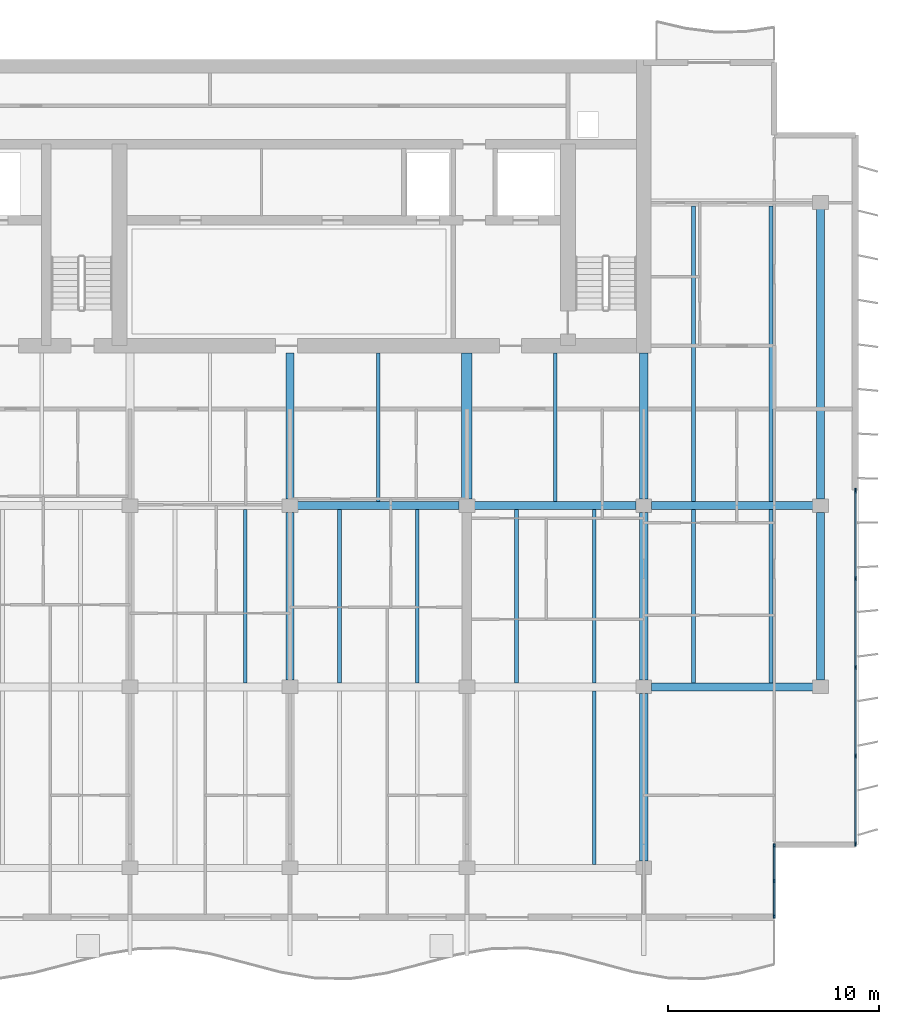
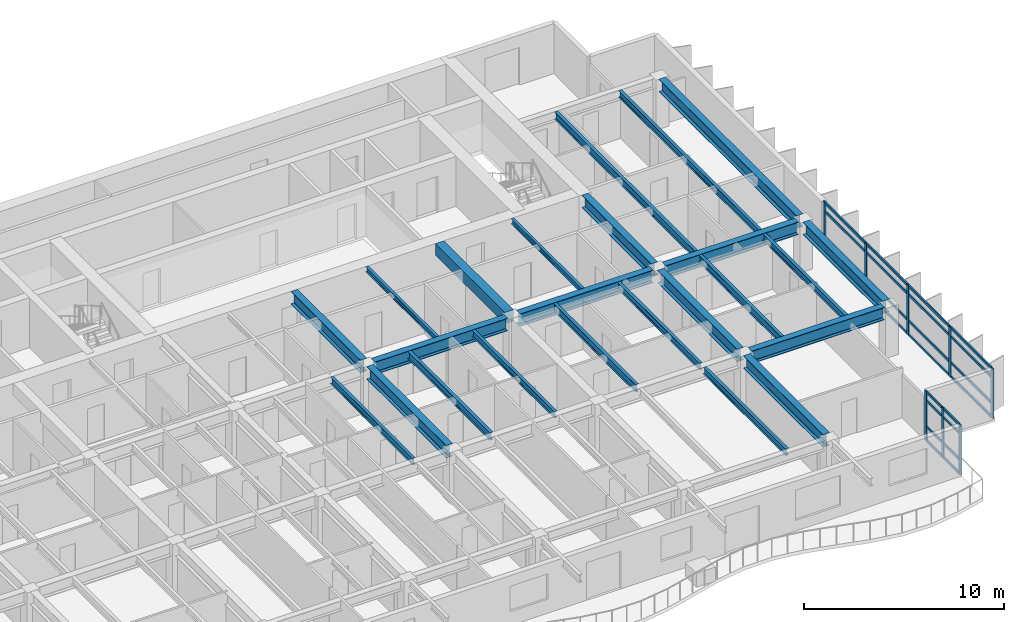
# One storey, part 4 of 17: 32 members, 24 beams, 2 elements without a shape of their own.
"""IFC4 building model written with IfcOpenShell, lengths in metres."""

from ifc_helpers import new_model, si_unit, direction, frame, origin, origin_2d, place, context, subcontext, project, spatial, rectangle, i_section, extrude, material, layer, layer_set, material_profile, profile_set, type_object, element, aggregate, save


model = new_model("IFC4")

# Units and contexts
model_context = context("Model", 3, precision=1e-05, world=origin(), true_north=direction((0.0, 1.0)))
body_context = subcontext(model_context, "Body", "Model", "MODEL_VIEW")
ifc_project = project(units=[si_unit("LENGTHUNIT", "METRE"), si_unit("AREAUNIT", "SQUARE_METRE"), si_unit("VOLUMEUNIT", "CUBIC_METRE"), si_unit("PLANEANGLEUNIT", "RADIAN"), si_unit("MASSUNIT", "GRAM", prefix="KILO")], contexts=[model_context])

# Site, building, storey
site_placement = place(None, origin())
site = spatial("IfcSite", under=ifc_project, at=site_placement, CompositionType="ELEMENT")
building_placement = place(site_placement, origin())
building = spatial("IfcBuilding", under=site, at=building_placement, Name="Caelmar Bay Residences", CompositionType="ELEMENT")
storey_placement = place(building_placement, frame((0.0, 0.0, 236.39990234375)))
storey = spatial("IfcBuildingStorey", under=building, at=storey_placement, Name="L66", CompositionType="ELEMENT", Elevation=236.39990234375)

# Beams
ifc_material_1 = material(Name="Steel ASTM A992 Grade 50", Category="steel")
ifc_material_profile_1 = material_profile(ifc_material_1, i_section(OverallWidth=0.177978515625, OverallDepth=0.406005859375, WebThickness=0.0078125, FlangeThickness=0.0126953125, FilletRadius=0.0087890625, at=origin_2d()), Name="W16X40")
ifc_profile_set_1 = profile_set([ifc_material_profile_1], Name="Steel ASTM A992 Grade 50")
beam_type_1 = type_object("IfcBeamType", Name="BM-BAL-W16X40", PredefinedType="JOIST", material=ifc_profile_set_1)
beam_1_placement = place(storey_placement, frame((57.14794921875, 12.362548828125, 2.84716796875), z_axis=(0.0, 1.0, 0.0), x_axis=(-1.0, 0.0, 0.0)))
element("IfcBeam", 1, at=beam_1_placement, inside=storey, type_object=beam_type_1, Name="L66 Composite Floor Joist 10", PredefinedType="JOIST", context=body_context, shape_type="SweptSolid", body=[
    extrude(i_section(OverallWidth=0.177978515625, OverallDepth=0.406005859375, WebThickness=0.0078125, FlangeThickness=0.0126953125, FilletRadius=0.0087890625, at=origin_2d()), origin(), (0.0, 0.0, 1.0), 8.2470703125),
])
for number, where, z_axis, x_axis, name in (
    (2, (40.572021484375, 20.990478515625, 2.84716796875), (0.0, 1.0, 0.0), (-1.0, 0.0, 0.0), "L66 Composite Floor Joist 18"),
    (3, (48.748046875, 20.990478515625, 2.84716796875), (0.0, 1.0, 0.0), (-1.0, 0.0, 0.0), "L66 Composite Floor Joist 20"),
    (4, (57.14794921875, 20.990478515625, 2.84716796875), (0.0, 1.0, 0.0), (-1.0, 0.0, 0.0), "L66 Composite Floor Joist 22"),
    (5, (65.548095703125, 20.990478515625, 2.84716796875), (0.0, 1.0, 0.0), (-1.0, 0.0, 0.0), "L66 Composite Floor Joist 24"),
):
    element("IfcBeam", number, at=place(storey_placement, frame(where, z_axis=z_axis, x_axis=x_axis)), inside=storey, type_object=beam_type_1, Name=name, PredefinedType="JOIST", context=body_context, shape_type="SweptSolid", body=[
        extrude(i_section(OverallWidth=0.177978515625, OverallDepth=0.406005859375, WebThickness=0.0078125, FlangeThickness=0.0126953125, FilletRadius=0.0087890625, at=origin_2d()), origin(), (0.0, 0.0, 1.0), 8.218994140625),
    ])
beam_2_placement = place(storey_placement, frame((65.548095703125, 29.590576171875, 2.84716796875), z_axis=(0.0, 1.0, 0.0), x_axis=(-1.0, 0.0, 0.0)))
element("IfcBeam", 6, at=beam_2_placement, inside=storey, type_object=beam_type_1, Name="L66 Composite Floor Joist 33", PredefinedType="JOIST", context=body_context, shape_type="SweptSolid", body=[
    extrude(i_section(OverallWidth=0.177978515625, OverallDepth=0.406005859375, WebThickness=0.0078125, FlangeThickness=0.0126953125, FilletRadius=0.0087890625, at=origin_2d()), origin(), (0.0, 0.0, 1.0), 14.046875),
])
ifc_material_profile_2 = material_profile(ifc_material_1, i_section(OverallWidth=0.381103515625, OverallDepth=0.77197265625, WebThickness=0.0166015625, FlangeThickness=0.027099609375, FilletRadius=0.0166015625, at=origin_2d()), Name="W30X173")
ifc_profile_set_2 = profile_set([ifc_material_profile_2], Name="Steel ASTM A992 Grade 50")
beam_type_2 = type_object("IfcBeamType", Name="BM-GRD-W30X173", PredefinedType="BEAM", material=ifc_profile_set_2)
beam_3_placement = place(storey_placement, frame((59.864990234375, 20.800048828125, 2.6640625), z_axis=(1.0, 0.0, 0.0), x_axis=(0.0, 1.0, 0.0)))
element("IfcBeam", 7, at=beam_3_placement, inside=storey, type_object=beam_type_2, Name="L66 East-West Girder Y=20.80 (59.5-67.9)", PredefinedType="BEAM", context=body_context, shape_type="SweptSolid", body=[
    extrude(i_section(OverallWidth=0.381103515625, OverallDepth=0.77197265625, WebThickness=0.0166015625, FlangeThickness=0.027099609375, FilletRadius=0.0166015625, at=origin_2d()), origin(), (0.0, 0.0, 1.0), 7.669921875),
])
beam_4_placement = place(storey_placement, frame((43.06494140625, 29.39990234375, 2.6640625), z_axis=(1.0, 0.0, 0.0), x_axis=(0.0, 1.0, 0.0)))
element("IfcBeam", 8, at=beam_4_placement, inside=storey, type_object=beam_type_2, Name="L66 East-West Girder Y=29.40 (42.7-51.1)", PredefinedType="BEAM", context=body_context, shape_type="SweptSolid", body=[
    extrude(i_section(OverallWidth=0.381103515625, OverallDepth=0.77197265625, WebThickness=0.0166015625, FlangeThickness=0.027099609375, FilletRadius=0.0166015625, at=origin_2d()), origin(), (0.0, 0.0, 1.0), 7.670166015625),
])
for number, where, z_axis, x_axis, name in (
    (9, (51.465087890625, 29.39990234375, 2.6640625), (1.0, 0.0, 0.0), (0.0, 1.0, 0.0), "L66 East-West Girder Y=29.40 (51.1-59.5)"),
    (10, (59.864990234375, 29.39990234375, 2.6640625), (1.0, 0.0, 0.0), (0.0, 1.0, 0.0), "L66 East-West Girder Y=29.40 (59.5-67.9)"),
):
    element("IfcBeam", number, at=place(storey_placement, frame(where, z_axis=z_axis, x_axis=x_axis)), inside=storey, type_object=beam_type_2, Name=name, PredefinedType="BEAM", context=body_context, shape_type="SweptSolid", body=[
        extrude(i_section(OverallWidth=0.381103515625, OverallDepth=0.77197265625, WebThickness=0.0166015625, FlangeThickness=0.027099609375, FilletRadius=0.0166015625, at=origin_2d()), origin(), (0.0, 0.0, 1.0), 7.669921875),
    ])
beam_5_placement = place(storey_placement, frame((42.699951171875, 29.715087890625, 2.6640625), z_axis=(0.0, 1.0, 0.0), x_axis=(-1.0, 0.0, 0.0)))
element("IfcBeam", 11, at=beam_5_placement, inside=storey, type_object=beam_type_2, Name="L66 Core Tie Girder X=42.70", PredefinedType="BEAM", context=body_context, shape_type="SweptSolid", body=[
    extrude(i_section(OverallWidth=0.381103515625, OverallDepth=0.77197265625, WebThickness=0.0166015625, FlangeThickness=0.027099609375, FilletRadius=0.0166015625, at=origin_2d()), origin(), (0.0, 0.0, 1.0), 6.934814453125),
])
beam_6_placement = place(storey_placement, frame((42.699951171875, 21.114990234375, 2.6640625), z_axis=(0.0, 1.0, 0.0), x_axis=(-1.0, 0.0, 0.0)))
element("IfcBeam", 12, at=beam_6_placement, inside=storey, type_object=beam_type_2, Name="L66 North-South Girder X=42.70 (20.8-29.4)", PredefinedType="BEAM", context=body_context, shape_type="SweptSolid", body=[
    extrude(i_section(OverallWidth=0.381103515625, OverallDepth=0.77197265625, WebThickness=0.0166015625, FlangeThickness=0.027099609375, FilletRadius=0.0166015625, at=origin_2d()), origin(), (0.0, 0.0, 1.0), 7.969970703125),
])
beam_7_placement = place(storey_placement, frame((59.5, 29.715087890625, 2.6640625), z_axis=(0.0, 1.0, 0.0), x_axis=(-1.0, 0.0, 0.0)))
element("IfcBeam", 13, at=beam_7_placement, inside=storey, type_object=beam_type_2, Name="L66 Core Tie Girder X=59.50", PredefinedType="BEAM", context=body_context, shape_type="SweptSolid", body=[
    extrude(i_section(OverallWidth=0.381103515625, OverallDepth=0.77197265625, WebThickness=0.0166015625, FlangeThickness=0.027099609375, FilletRadius=0.0166015625, at=origin_2d()), origin(), (0.0, 0.0, 1.0), 6.934814453125),
])
beam_8_placement = place(storey_placement, frame((59.5, 12.514892578125, 2.6640625), z_axis=(0.0, 1.0, 0.0), x_axis=(-1.0, 0.0, 0.0)))
element("IfcBeam", 14, at=beam_8_placement, inside=storey, type_object=beam_type_2, Name="L66 North-South Girder X=59.50 (12.2-20.8)", PredefinedType="BEAM", context=body_context, shape_type="SweptSolid", body=[
    extrude(i_section(OverallWidth=0.381103515625, OverallDepth=0.77197265625, WebThickness=0.0166015625, FlangeThickness=0.027099609375, FilletRadius=0.0166015625, at=origin_2d()), origin(), (0.0, 0.0, 1.0), 7.97021484375),
])
for number, where, z_axis, x_axis, name in (
    (15, (59.5, 21.114990234375, 2.6640625), (0.0, 1.0, 0.0), (-1.0, 0.0, 0.0), "L66 North-South Girder X=59.50 (20.8-29.4)"),
    (16, (67.89990234375, 21.114990234375, 2.6640625), (0.0, 1.0, 0.0), (-1.0, 0.0, 0.0), "L66 North-South Girder X=67.90 (20.8-29.4)"),
):
    element("IfcBeam", number, at=place(storey_placement, frame(where, z_axis=z_axis, x_axis=x_axis)), inside=storey, type_object=beam_type_2, Name=name, PredefinedType="BEAM", context=body_context, shape_type="SweptSolid", body=[
        extrude(i_section(OverallWidth=0.381103515625, OverallDepth=0.77197265625, WebThickness=0.0166015625, FlangeThickness=0.027099609375, FilletRadius=0.0166015625, at=origin_2d()), origin(), (0.0, 0.0, 1.0), 7.969970703125),
    ])
beam_9_placement = place(storey_placement, frame((67.89990234375, 29.715087890625, 2.6640625), z_axis=(0.0, 1.0, 0.0), x_axis=(-1.0, 0.0, 0.0)))
element("IfcBeam", 17, at=beam_9_placement, inside=storey, type_object=beam_type_2, Name="L66 North-South Girder X=67.90 (29.4-43.8)", PredefinedType="BEAM", context=body_context, shape_type="SweptSolid", body=[
    extrude(i_section(OverallWidth=0.381103515625, OverallDepth=0.77197265625, WebThickness=0.0166015625, FlangeThickness=0.027099609375, FilletRadius=0.0166015625, at=origin_2d()), origin(), (0.0, 0.0, 1.0), 13.77001953125),
])
ifc_material_profile_3 = material_profile(ifc_material_1, i_section(OverallWidth=0.1650390625, OverallDepth=0.31005859375, WebThickness=0.005859375, FlangeThickness=0.009765625, FilletRadius=0.007568359375, at=origin_2d()), Name="W12X26")
ifc_profile_set_3 = profile_set([ifc_material_profile_3], Name="Steel ASTM A992 Grade 50")
beam_type_3 = type_object("IfcBeamType", Name="BM-JST-W12X26", PredefinedType="JOIST", material=ifc_profile_set_3)
for number, where, z_axis, x_axis, name in (
    (18, (46.89990234375, 29.590576171875, 2.89501953125), (0.0, 1.0, 0.0), (-1.0, 0.0, 0.0), "L66 Core-Band Composite Joist 28"),
    (19, (55.300048828125, 29.590576171875, 2.89501953125), (0.0, 1.0, 0.0), (-1.0, 0.0, 0.0), "L66 Core-Band Composite Joist 29"),
):
    element("IfcBeam", number, at=place(storey_placement, frame(where, z_axis=z_axis, x_axis=x_axis)), inside=storey, type_object=beam_type_3, Name=name, PredefinedType="JOIST", context=body_context, shape_type="SweptSolid", body=[
        extrude(i_section(OverallWidth=0.1650390625, OverallDepth=0.31005859375, WebThickness=0.005859375, FlangeThickness=0.009765625, FilletRadius=0.007568359375, at=origin_2d()), origin(), (0.0, 0.0, 1.0), 7.059326171875),
    ])
ifc_material_profile_4 = material_profile(ifc_material_1, i_section(OverallWidth=0.19091796875, OverallDepth=0.45703125, WebThickness=0.009033203125, FlangeThickness=0.014404296875, FilletRadius=0.01025390625, at=origin_2d()), Name="W18X50")
ifc_profile_set_4 = profile_set([ifc_material_profile_4], Name="Steel ASTM A992 Grade 50")
beam_type_4 = type_object("IfcBeamType", Name="BM-JST-W18X50", PredefinedType="JOIST", material=ifc_profile_set_4)
for number, where, z_axis, x_axis, name in (
    (20, (45.052001953125, 20.990478515625, 2.821533203125), (0.0, 1.0, 0.0), (-1.0, 0.0, 0.0), "L66 Composite Floor Joist 19"),
    (21, (53.451904296875, 20.990478515625, 2.821533203125), (0.0, 1.0, 0.0), (-1.0, 0.0, 0.0), "L66 Composite Floor Joist 21"),
    (22, (61.85205078125, 20.990478515625, 2.821533203125), (0.0, 1.0, 0.0), (-1.0, 0.0, 0.0), "L66 Composite Floor Joist 23"),
):
    element("IfcBeam", number, at=place(storey_placement, frame(where, z_axis=z_axis, x_axis=x_axis)), inside=storey, type_object=beam_type_4, Name=name, PredefinedType="JOIST", context=body_context, shape_type="SweptSolid", body=[
        extrude(i_section(OverallWidth=0.19091796875, OverallDepth=0.45703125, WebThickness=0.009033203125, FlangeThickness=0.014404296875, FilletRadius=0.01025390625, at=origin_2d()), origin(), (0.0, 0.0, 1.0), 8.218994140625),
    ])
beam_10_placement = place(storey_placement, frame((61.85205078125, 29.590576171875, 2.821533203125), z_axis=(0.0, 1.0, 0.0), x_axis=(-1.0, 0.0, 0.0)))
element("IfcBeam", 23, at=beam_10_placement, inside=storey, type_object=beam_type_4, Name="L66 Composite Floor Joist 32", PredefinedType="JOIST", context=body_context, shape_type="SweptSolid", body=[
    extrude(i_section(OverallWidth=0.19091796875, OverallDepth=0.45703125, WebThickness=0.009033203125, FlangeThickness=0.014404296875, FilletRadius=0.01025390625, at=origin_2d()), origin(), (0.0, 0.0, 1.0), 14.046875),
])
ifc_material_2 = material(Name="Concrete f'c 55 MPa (8,000 psi)", Category="concrete")
ifc_material_profile_5 = material_profile(ifc_material_2, rectangle(XDim=0.5, YDim=0.699951171875, at=origin_2d()), Name="RC-BM-500X700")
ifc_profile_set_5 = profile_set([ifc_material_profile_5], Name="Concrete f'c 55 MPa (8,000 psi)")
beam_type_5 = type_object("IfcBeamType", Name="BM-RC-500X700", PredefinedType="LINTEL", material=ifc_profile_set_5)
beam_11_placement = place(storey_placement, frame((51.10009765625, 29.715087890625, 2.7001953125), z_axis=(0.0, 1.0, 0.0), x_axis=(-1.0, 0.0, 0.0)))
element("IfcBeam", 24, at=beam_11_placement, inside=storey, type_object=beam_type_5, Name="L66 Shear-Wall Corridor Coupling Lintel E8", PredefinedType="LINTEL", context=body_context, shape_type="SweptSolid", body=[
    extrude(rectangle(XDim=0.5, YDim=0.699951171875, at=origin_2d()), origin(), (0.0, 0.0, 1.0), 6.934814453125),
])

# Curtain wall, members
ifc_material_3 = material(Name="Anodised bronze aluminium 6063-T6 and laminated glass", Category="aluminium")
ifc_layer_1 = layer(ifc_material_3, 0.179931640625)
ifc_layer_set_1 = layer_set([ifc_layer_1], Name="Anodised bronze aluminium 6063-T6 and laminated glass")
curtain_wall_type_1 = type_object("IfcCurtainWallType", Name="CW6-NTC", PredefinedType="NOTDEFINED", material=ifc_layer_set_1)
curtain_wall_1_placement = place(storey_placement, origin())
curtain_wall_1 = element("IfcCurtainWall", 25, at=curtain_wall_1_placement, inside=storey, type_object=curtain_wall_type_1, Name="CW6 curtain wall L66", PredefinedType="NOTDEFINED")
ifc_material_4 = material(Name="Anodised bronze aluminium 6063-T6", Category="aluminium")
ifc_material_profile_6 = material_profile(ifc_material_4, rectangle(XDim=0.080078125, YDim=0.179931640625, at=origin_2d()), Name="CWM-80X180")
ifc_profile_set_6 = profile_set([ifc_material_profile_6], Name="Anodised bronze aluminium 6063-T6")
member_type_1 = type_object("IfcMemberType", Name="CWM-180", PredefinedType="MULLION", material=ifc_profile_set_6)
member_1_placement = place(storey_placement, frame((65.699951171875, 9.889892578125, 0.0), z_axis=(0.0, 0.0, 1.0), x_axis=(-1.0, 0.0, 0.0)))
member_1 = element("IfcMember", 26, at=member_1_placement, type_object=member_type_1, Name="CW6 mullion 1", PredefinedType="MULLION", context=body_context, shape_type="SweptSolid", body=[
    extrude(rectangle(XDim=0.080078125, YDim=0.179931640625, at=origin_2d()), origin(), (0.0, 0.0, 1.0), 3.050048828125),
])
member_2_placement = place(storey_placement, frame((65.699951171875, 11.574951171875, 0.0), z_axis=(0.0, 0.0, 1.0), x_axis=(-1.0, 0.0, 0.0)))
member_2 = element("IfcMember", 27, at=member_2_placement, type_object=member_type_1, Name="CW6 mullion 2", PredefinedType="MULLION", context=body_context, shape_type="SweptSolid", body=[
    extrude(rectangle(XDim=0.080078125, YDim=0.179931640625, at=origin_2d()), origin(), (0.0, 0.0, 1.0), 3.050048828125),
])
member_3_placement = place(storey_placement, frame((65.699951171875, 13.260009765625, 0.0), z_axis=(0.0, 0.0, 1.0), x_axis=(-1.0, 0.0, 0.0)))
member_3 = element("IfcMember", 28, at=member_3_placement, type_object=member_type_1, Name="CW6 mullion 3", PredefinedType="MULLION", context=body_context, shape_type="SweptSolid", body=[
    extrude(rectangle(XDim=0.080078125, YDim=0.179931640625, at=origin_2d()), origin(), (0.0, 0.0, 1.0), 3.050048828125),
])

ifc_layer_2 = layer(ifc_material_3, 0.179931640625)
ifc_layer_set_2 = layer_set([ifc_layer_2], Name="Anodised bronze aluminium 6063-T6 and laminated glass")
curtain_wall_type_2 = type_object("IfcCurtainWallType", Name="CW5-Z4", PredefinedType="NOTDEFINED", material=ifc_layer_set_2)
curtain_wall_2_placement = place(storey_placement, origin())
curtain_wall_2 = element("IfcCurtainWall", 29, at=curtain_wall_2_placement, inside=storey, type_object=curtain_wall_type_2, Name="CW5 curtain wall L66", PredefinedType="NOTDEFINED")
ifc_material_profile_7 = material_profile(ifc_material_4, rectangle(XDim=0.080078125, YDim=0.219970703125, at=origin_2d()), Name="CWM-80X220")
ifc_profile_set_7 = profile_set([ifc_material_profile_7], Name="Anodised bronze aluminium 6063-T6")
member_type_2 = type_object("IfcMemberType", Name="CWM-220", PredefinedType="MULLION", material=ifc_profile_set_7)
member_4_placement = place(storey_placement, frame((69.550048828125, 30.110107421875, 0.0), z_axis=(0.0, 0.0, 1.0), x_axis=(1.0, 0.0, 0.0)))
member_4 = element("IfcMember", 30, at=member_4_placement, type_object=member_type_2, Name="CW5 mullion 1", PredefinedType="MULLION", context=body_context, shape_type="SweptSolid", body=[
    extrude(rectangle(XDim=0.080078125, YDim=0.219970703125, at=origin_2d()), origin(), (0.0, 0.0, 1.0), 3.050048828125),
])
member_5_placement = place(storey_placement, frame((69.550048828125, 25.9375, 0.0), z_axis=(0.0, 0.0, 1.0), x_axis=(1.0, 0.0, 0.0)))
member_5 = element("IfcMember", 31, at=member_5_placement, type_object=member_type_2, Name="CW5 mullion 2", PredefinedType="MULLION", context=body_context, shape_type="SweptSolid", body=[
    extrude(rectangle(XDim=0.080078125, YDim=0.219970703125, at=origin_2d()), origin(), (0.0, 0.0, 1.0), 3.050048828125),
])
member_6_placement = place(storey_placement, frame((69.550048828125, 21.72509765625, 0.0), z_axis=(0.0, 0.0, 1.0), x_axis=(1.0, 0.0, 0.0)))
member_6 = element("IfcMember", 32, at=member_6_placement, type_object=member_type_2, Name="CW5 mullion 3", PredefinedType="MULLION", context=body_context, shape_type="SweptSolid", body=[
    extrude(rectangle(XDim=0.080078125, YDim=0.219970703125, at=origin_2d()), origin(), (0.0, 0.0, 1.0), 3.050048828125),
])
member_7_placement = place(storey_placement, frame((69.550048828125, 17.512451171875, 0.0), z_axis=(0.0, 0.0, 1.0), x_axis=(1.0, 0.0, 0.0)))
member_7 = element("IfcMember", 33, at=member_7_placement, type_object=member_type_2, Name="CW5 mullion 4", PredefinedType="MULLION", context=body_context, shape_type="SweptSolid", body=[
    extrude(rectangle(XDim=0.080078125, YDim=0.219970703125, at=origin_2d()), origin(), (0.0, 0.0, 1.0), 3.050048828125),
])
member_8_placement = place(storey_placement, frame((69.550048828125, 13.340087890625, 0.0), z_axis=(0.0, 0.0, 1.0), x_axis=(1.0, 0.0, 0.0)))
member_8 = element("IfcMember", 34, at=member_8_placement, type_object=member_type_2, Name="CW5 mullion 5", PredefinedType="MULLION", context=body_context, shape_type="SweptSolid", body=[
    extrude(rectangle(XDim=0.080078125, YDim=0.219970703125, at=origin_2d()), origin(), (0.0, 0.0, 1.0), 3.050048828125),
])

# Member
ifc_material_profile_8 = material_profile(ifc_material_4, rectangle(XDim=0.080078125, YDim=0.139892578125, at=origin_2d()), Name="CWT-80X140")
ifc_profile_set_8 = profile_set([ifc_material_profile_8], Name="Anodised bronze aluminium 6063-T6")
member_type_3 = type_object("IfcMemberType", Name="CWT-140", PredefinedType="NOTDEFINED", material=ifc_profile_set_8)
member_9_placement = place(storey_placement, frame((65.699951171875, 9.929931640625, 0.0400390625), z_axis=(0.0, 1.0, 0.0), x_axis=(-1.0, 0.0, 0.0)))
member_9 = element("IfcMember", 35, at=member_9_placement, type_object=member_type_3, Name="CW6 transom 1.1", ObjectType="TRANSOM", PredefinedType="USERDEFINED", context=body_context, shape_type="SweptSolid", body=[
    extrude(rectangle(XDim=0.080078125, YDim=0.139892578125, at=origin_2d()), origin(), (0.0, 0.0, 1.0), 1.60498046875),
])

member_10_placement = place(storey_placement, frame((65.699951171875, 9.929931640625, 0.900146484375), z_axis=(0.0, 1.0, 0.0), x_axis=(-1.0, 0.0, 0.0)))
member_10 = element("IfcMember", 36, at=member_10_placement, type_object=member_type_3, Name="CW6 transom 1.2", ObjectType="TRANSOM", PredefinedType="USERDEFINED", context=body_context, shape_type="SweptSolid", body=[
    extrude(rectangle(XDim=0.080078125, YDim=0.139892578125, at=origin_2d()), origin(), (0.0, 0.0, 1.0), 1.60498046875),
])

member_11_placement = place(storey_placement, frame((65.699951171875, 9.929931640625, 2.5), z_axis=(0.0, 1.0, 0.0), x_axis=(-1.0, 0.0, 0.0)))
member_11 = element("IfcMember", 37, at=member_11_placement, type_object=member_type_3, Name="CW6 transom 1.3", ObjectType="TRANSOM", PredefinedType="USERDEFINED", context=body_context, shape_type="SweptSolid", body=[
    extrude(rectangle(XDim=0.080078125, YDim=0.139892578125, at=origin_2d()), origin(), (0.0, 0.0, 1.0), 1.60498046875),
])

member_12_placement = place(storey_placement, frame((65.699951171875, 9.929931640625, 3.010009765625), z_axis=(0.0, 1.0, 0.0), x_axis=(-1.0, 0.0, 0.0)))
member_12 = element("IfcMember", 38, at=member_12_placement, type_object=member_type_3, Name="CW6 transom 1.4", ObjectType="TRANSOM", PredefinedType="USERDEFINED", context=body_context, shape_type="SweptSolid", body=[
    extrude(rectangle(XDim=0.080078125, YDim=0.139892578125, at=origin_2d()), origin(), (0.0, 0.0, 1.0), 1.60498046875),
])

member_13_placement = place(storey_placement, frame((65.699951171875, 11.614990234375, 0.0400390625), z_axis=(0.0, 1.0, 0.0), x_axis=(-1.0, 0.0, 0.0)))
member_13 = element("IfcMember", 39, at=member_13_placement, type_object=member_type_3, Name="CW6 transom 2.1", ObjectType="TRANSOM", PredefinedType="USERDEFINED", context=body_context, shape_type="SweptSolid", body=[
    extrude(rectangle(XDim=0.080078125, YDim=0.139892578125, at=origin_2d()), origin(), (0.0, 0.0, 1.0), 1.60498046875),
])

member_14_placement = place(storey_placement, frame((65.699951171875, 11.614990234375, 0.900146484375), z_axis=(0.0, 1.0, 0.0), x_axis=(-1.0, 0.0, 0.0)))
member_14 = element("IfcMember", 40, at=member_14_placement, type_object=member_type_3, Name="CW6 transom 2.2", ObjectType="TRANSOM", PredefinedType="USERDEFINED", context=body_context, shape_type="SweptSolid", body=[
    extrude(rectangle(XDim=0.080078125, YDim=0.139892578125, at=origin_2d()), origin(), (0.0, 0.0, 1.0), 1.60498046875),
])

member_15_placement = place(storey_placement, frame((65.699951171875, 11.614990234375, 2.5), z_axis=(0.0, 1.0, 0.0), x_axis=(-1.0, 0.0, 0.0)))
member_15 = element("IfcMember", 41, at=member_15_placement, type_object=member_type_3, Name="CW6 transom 2.3", ObjectType="TRANSOM", PredefinedType="USERDEFINED", context=body_context, shape_type="SweptSolid", body=[
    extrude(rectangle(XDim=0.080078125, YDim=0.139892578125, at=origin_2d()), origin(), (0.0, 0.0, 1.0), 1.60498046875),
])

member_16_placement = place(storey_placement, frame((65.699951171875, 11.614990234375, 3.010009765625), z_axis=(0.0, 1.0, 0.0), x_axis=(-1.0, 0.0, 0.0)))
member_16 = element("IfcMember", 42, at=member_16_placement, type_object=member_type_3, Name="CW6 transom 2.4", ObjectType="TRANSOM", PredefinedType="USERDEFINED", context=body_context, shape_type="SweptSolid", body=[
    extrude(rectangle(XDim=0.080078125, YDim=0.139892578125, at=origin_2d()), origin(), (0.0, 0.0, 1.0), 1.60498046875),
])

aggregate(curtain_wall_1, [member_1, member_2, member_3, member_9, member_10, member_11, member_12, member_13, member_14, member_15, member_16])

ifc_material_profile_9 = material_profile(ifc_material_4, rectangle(XDim=0.080078125, YDim=0.159912109375, at=origin_2d()), Name="CWT-80X160")
ifc_profile_set_9 = profile_set([ifc_material_profile_9], Name="Anodised bronze aluminium 6063-T6")
member_type_4 = type_object("IfcMemberType", Name="CWT-160", PredefinedType="NOTDEFINED", material=ifc_profile_set_9)
member_17_placement = place(storey_placement, frame((69.550048828125, 30.070068359375, 0.0400390625), z_axis=(0.0, -1.0, 0.0), x_axis=(1.0, 0.0, 0.0)))
member_17 = element("IfcMember", 43, at=member_17_placement, type_object=member_type_4, Name="CW5 transom 1.1", ObjectType="TRANSOM", PredefinedType="USERDEFINED", context=body_context, shape_type="SweptSolid", body=[
    extrude(rectangle(XDim=0.080078125, YDim=0.159912109375, at=origin_2d()), origin(), (0.0, 0.0, 1.0), 4.092529296875),
])

member_18_placement = place(storey_placement, frame((69.550048828125, 30.070068359375, 0.900146484375), z_axis=(0.0, -1.0, 0.0), x_axis=(1.0, 0.0, 0.0)))
member_18 = element("IfcMember", 44, at=member_18_placement, type_object=member_type_4, Name="CW5 transom 1.2", ObjectType="TRANSOM", PredefinedType="USERDEFINED", context=body_context, shape_type="SweptSolid", body=[
    extrude(rectangle(XDim=0.080078125, YDim=0.159912109375, at=origin_2d()), origin(), (0.0, 0.0, 1.0), 4.092529296875),
])

member_19_placement = place(storey_placement, frame((69.550048828125, 30.070068359375, 2.5), z_axis=(0.0, -1.0, 0.0), x_axis=(1.0, 0.0, 0.0)))
member_19 = element("IfcMember", 45, at=member_19_placement, type_object=member_type_4, Name="CW5 transom 1.3", ObjectType="TRANSOM", PredefinedType="USERDEFINED", context=body_context, shape_type="SweptSolid", body=[
    extrude(rectangle(XDim=0.080078125, YDim=0.159912109375, at=origin_2d()), origin(), (0.0, 0.0, 1.0), 4.092529296875),
])

member_20_placement = place(storey_placement, frame((69.550048828125, 30.070068359375, 3.010009765625), z_axis=(0.0, -1.0, 0.0), x_axis=(1.0, 0.0, 0.0)))
member_20 = element("IfcMember", 46, at=member_20_placement, type_object=member_type_4, Name="CW5 transom 1.4", ObjectType="TRANSOM", PredefinedType="USERDEFINED", context=body_context, shape_type="SweptSolid", body=[
    extrude(rectangle(XDim=0.080078125, YDim=0.159912109375, at=origin_2d()), origin(), (0.0, 0.0, 1.0), 4.092529296875),
])

member_21_placement = place(storey_placement, frame((69.550048828125, 25.8974609375, 0.0400390625), z_axis=(0.0, -1.0, 0.0), x_axis=(1.0, 0.0, 0.0)))
member_21 = element("IfcMember", 47, at=member_21_placement, type_object=member_type_4, Name="CW5 transom 2.1", ObjectType="TRANSOM", PredefinedType="USERDEFINED", context=body_context, shape_type="SweptSolid", body=[
    extrude(rectangle(XDim=0.080078125, YDim=0.159912109375, at=origin_2d()), origin(), (0.0, 0.0, 1.0), 4.132568359375),
])

member_22_placement = place(storey_placement, frame((69.550048828125, 25.8974609375, 0.900146484375), z_axis=(0.0, -1.0, 0.0), x_axis=(1.0, 0.0, 0.0)))
member_22 = element("IfcMember", 48, at=member_22_placement, type_object=member_type_4, Name="CW5 transom 2.2", ObjectType="TRANSOM", PredefinedType="USERDEFINED", context=body_context, shape_type="SweptSolid", body=[
    extrude(rectangle(XDim=0.080078125, YDim=0.159912109375, at=origin_2d()), origin(), (0.0, 0.0, 1.0), 4.132568359375),
])

member_23_placement = place(storey_placement, frame((69.550048828125, 25.8974609375, 2.5), z_axis=(0.0, -1.0, 0.0), x_axis=(1.0, 0.0, 0.0)))
member_23 = element("IfcMember", 49, at=member_23_placement, type_object=member_type_4, Name="CW5 transom 2.3", ObjectType="TRANSOM", PredefinedType="USERDEFINED", context=body_context, shape_type="SweptSolid", body=[
    extrude(rectangle(XDim=0.080078125, YDim=0.159912109375, at=origin_2d()), origin(), (0.0, 0.0, 1.0), 4.132568359375),
])

member_24_placement = place(storey_placement, frame((69.550048828125, 25.8974609375, 3.010009765625), z_axis=(0.0, -1.0, 0.0), x_axis=(1.0, 0.0, 0.0)))
member_24 = element("IfcMember", 50, at=member_24_placement, type_object=member_type_4, Name="CW5 transom 2.4", ObjectType="TRANSOM", PredefinedType="USERDEFINED", context=body_context, shape_type="SweptSolid", body=[
    extrude(rectangle(XDim=0.080078125, YDim=0.159912109375, at=origin_2d()), origin(), (0.0, 0.0, 1.0), 4.132568359375),
])

member_25_placement = place(storey_placement, frame((69.550048828125, 21.68505859375, 0.0400390625), z_axis=(0.0, -1.0, 0.0), x_axis=(1.0, 0.0, 0.0)))
member_25 = element("IfcMember", 51, at=member_25_placement, type_object=member_type_4, Name="CW5 transom 3.1", ObjectType="TRANSOM", PredefinedType="USERDEFINED", context=body_context, shape_type="SweptSolid", body=[
    extrude(rectangle(XDim=0.080078125, YDim=0.159912109375, at=origin_2d()), origin(), (0.0, 0.0, 1.0), 4.132568359375),
])

member_26_placement = place(storey_placement, frame((69.550048828125, 21.68505859375, 0.900146484375), z_axis=(0.0, -1.0, 0.0), x_axis=(1.0, 0.0, 0.0)))
member_26 = element("IfcMember", 52, at=member_26_placement, type_object=member_type_4, Name="CW5 transom 3.2", ObjectType="TRANSOM", PredefinedType="USERDEFINED", context=body_context, shape_type="SweptSolid", body=[
    extrude(rectangle(XDim=0.080078125, YDim=0.159912109375, at=origin_2d()), origin(), (0.0, 0.0, 1.0), 4.132568359375),
])

member_27_placement = place(storey_placement, frame((69.550048828125, 21.68505859375, 2.5), z_axis=(0.0, -1.0, 0.0), x_axis=(1.0, 0.0, 0.0)))
member_27 = element("IfcMember", 53, at=member_27_placement, type_object=member_type_4, Name="CW5 transom 3.3", ObjectType="TRANSOM", PredefinedType="USERDEFINED", context=body_context, shape_type="SweptSolid", body=[
    extrude(rectangle(XDim=0.080078125, YDim=0.159912109375, at=origin_2d()), origin(), (0.0, 0.0, 1.0), 4.132568359375),
])

member_28_placement = place(storey_placement, frame((69.550048828125, 21.68505859375, 3.010009765625), z_axis=(0.0, -1.0, 0.0), x_axis=(1.0, 0.0, 0.0)))
member_28 = element("IfcMember", 54, at=member_28_placement, type_object=member_type_4, Name="CW5 transom 3.4", ObjectType="TRANSOM", PredefinedType="USERDEFINED", context=body_context, shape_type="SweptSolid", body=[
    extrude(rectangle(XDim=0.080078125, YDim=0.159912109375, at=origin_2d()), origin(), (0.0, 0.0, 1.0), 4.132568359375),
])

member_29_placement = place(storey_placement, frame((69.550048828125, 17.472412109375, 0.0400390625), z_axis=(0.0, -1.0, 0.0), x_axis=(1.0, 0.0, 0.0)))
member_29 = element("IfcMember", 55, at=member_29_placement, type_object=member_type_4, Name="CW5 transom 4.1", ObjectType="TRANSOM", PredefinedType="USERDEFINED", context=body_context, shape_type="SweptSolid", body=[
    extrude(rectangle(XDim=0.080078125, YDim=0.159912109375, at=origin_2d()), origin(), (0.0, 0.0, 1.0), 4.092529296875),
])

member_30_placement = place(storey_placement, frame((69.550048828125, 17.472412109375, 0.900146484375), z_axis=(0.0, -1.0, 0.0), x_axis=(1.0, 0.0, 0.0)))
member_30 = element("IfcMember", 56, at=member_30_placement, type_object=member_type_4, Name="CW5 transom 4.2", ObjectType="TRANSOM", PredefinedType="USERDEFINED", context=body_context, shape_type="SweptSolid", body=[
    extrude(rectangle(XDim=0.080078125, YDim=0.159912109375, at=origin_2d()), origin(), (0.0, 0.0, 1.0), 4.092529296875),
])

member_31_placement = place(storey_placement, frame((69.550048828125, 17.472412109375, 2.5), z_axis=(0.0, -1.0, 0.0), x_axis=(1.0, 0.0, 0.0)))
member_31 = element("IfcMember", 57, at=member_31_placement, type_object=member_type_4, Name="CW5 transom 4.3", ObjectType="TRANSOM", PredefinedType="USERDEFINED", context=body_context, shape_type="SweptSolid", body=[
    extrude(rectangle(XDim=0.080078125, YDim=0.159912109375, at=origin_2d()), origin(), (0.0, 0.0, 1.0), 4.092529296875),
])

member_32_placement = place(storey_placement, frame((69.550048828125, 17.472412109375, 3.010009765625), z_axis=(0.0, -1.0, 0.0), x_axis=(1.0, 0.0, 0.0)))
member_32 = element("IfcMember", 58, at=member_32_placement, type_object=member_type_4, Name="CW5 transom 4.4", ObjectType="TRANSOM", PredefinedType="USERDEFINED", context=body_context, shape_type="SweptSolid", body=[
    extrude(rectangle(XDim=0.080078125, YDim=0.159912109375, at=origin_2d()), origin(), (0.0, 0.0, 1.0), 4.092529296875),
])

aggregate(curtain_wall_2, [member_4, member_5, member_6, member_7, member_8, member_17, member_18, member_19, member_20, member_21, member_22, member_23, member_24, member_25, member_26, member_27, member_28, member_29, member_30, member_31, member_32])

save(model, "model.ifc")
